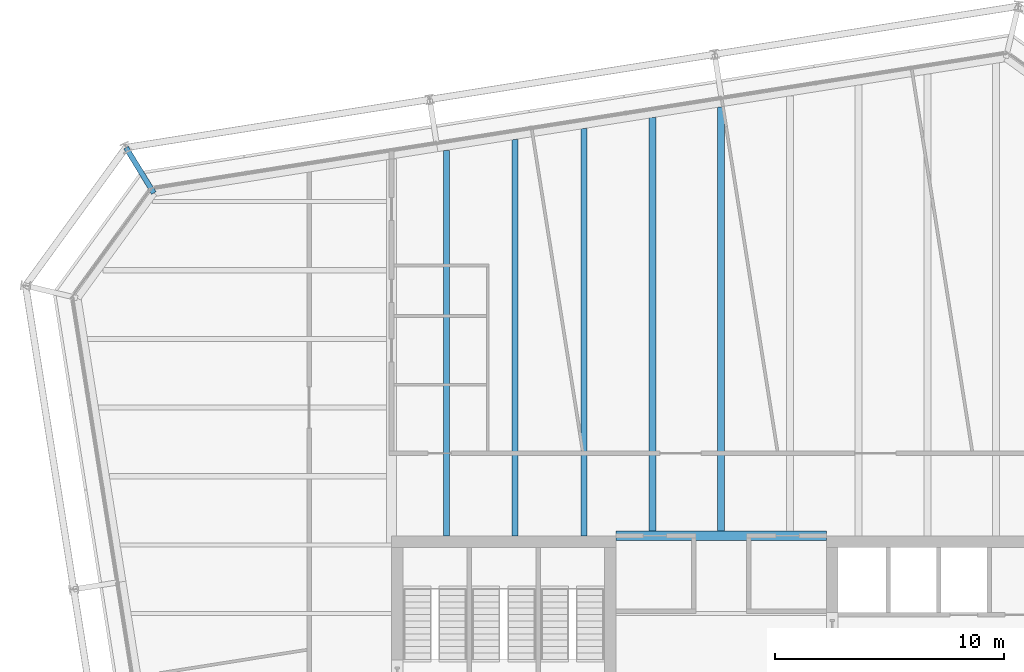
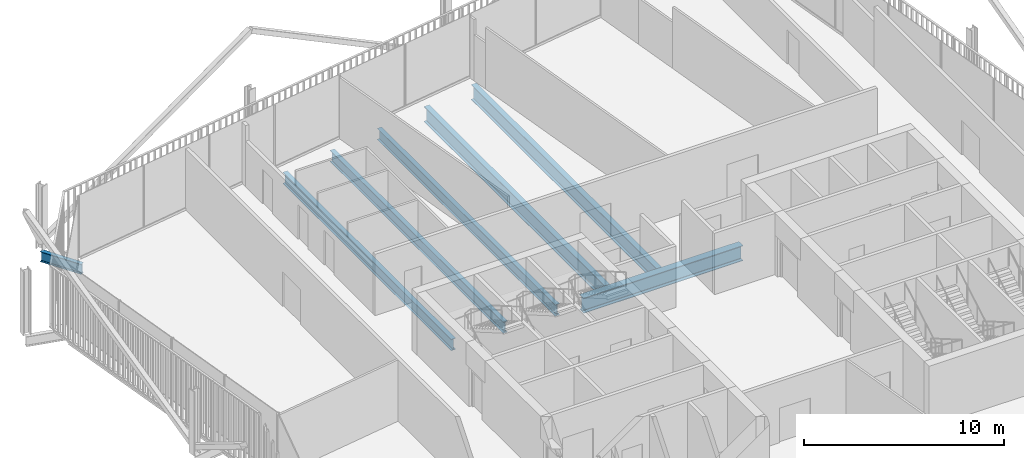
# One storey, part 12 of 21: 7 beams.
"""IFC4 building model written with IfcOpenShell, lengths in metres."""

from ifc_helpers import new_model, si_unit, direction, frame, origin, origin_2d, place, context, subcontext, project, spatial, i_section, extrude, material, material_profile, profile_set, type_object, element, save


model = new_model("IFC4")

# Units and contexts
model_context = context("Model", 3, precision=1e-05, world=origin(), true_north=direction((0.0, 1.0)))
body_context = subcontext(model_context, "Body", "Model", "MODEL_VIEW")
ifc_project = project(units=[si_unit("LENGTHUNIT", "METRE"), si_unit("AREAUNIT", "SQUARE_METRE"), si_unit("VOLUMEUNIT", "CUBIC_METRE"), si_unit("PLANEANGLEUNIT", "RADIAN"), si_unit("MASSUNIT", "GRAM", prefix="KILO")], contexts=[model_context])

# Site, building, storey
site_placement = place(None, origin())
site = spatial("IfcSite", under=ifc_project, at=site_placement, CompositionType="ELEMENT")
building_placement = place(site_placement, origin())
building = spatial("IfcBuilding", under=site, at=building_placement, Name="Millrace Tower", CompositionType="ELEMENT")
storey_placement = place(building_placement, frame((0.0, 0.0, 220.300048828125)))
storey = spatial("IfcBuildingStorey", under=building, at=storey_placement, Name="L50", CompositionType="ELEMENT", Elevation=220.300048828125)

# Beams
ifc_material_1 = material(Name="Steel ASTM A992 Grade 50", Category="steel")
ifc_material_profile_1 = material_profile(ifc_material_1, i_section(OverallWidth=0.256591796875, OverallDepth=0.693359375, WebThickness=0.014404296875, FlangeThickness=0.023681640625, FilletRadius=0.01513671875, at=origin_2d()))
ifc_profile_set_1 = profile_set([ifc_material_profile_1], Name="Steel ASTM A992 Grade 50")
beam_type_1 = type_object("IfcBeamType", Name="Floor beam W27x114", PredefinedType="JOIST", material=ifc_profile_set_1)
beam_1_placement = place(storey_placement, frame((-12.0, 9.39990234375, -0.5068359375), z_axis=(0.0, 1.0, 0.0), x_axis=(-1.0, 0.0, 0.0)))
element("IfcBeam", 1, at=beam_1_placement, inside=storey, type_object=beam_type_1, Name="BM-D-L50-S1-S036", PredefinedType="JOIST", context=body_context, shape_type="SweptSolid", body=[
    extrude(i_section(OverallWidth=0.256591796875, OverallDepth=0.693359375, WebThickness=0.014404296875, FlangeThickness=0.023681640625, FilletRadius=0.01513671875, at=origin_2d()), origin(), (0.0, 0.0, 1.0), 16.8369140625),
])
beam_2_placement = place(storey_placement, frame((-9.0, 9.39990234375, -0.5068359375), z_axis=(0.0, 1.0, 0.0), x_axis=(-1.0, 0.0, 0.0)))
element("IfcBeam", 2, at=beam_2_placement, inside=storey, type_object=beam_type_1, Name="BM-D-L50-S1-S038", PredefinedType="JOIST", context=body_context, shape_type="SweptSolid", body=[
    extrude(i_section(OverallWidth=0.256591796875, OverallDepth=0.693359375, WebThickness=0.014404296875, FlangeThickness=0.023681640625, FilletRadius=0.01513671875, at=origin_2d()), origin(), (0.0, 0.0, 1.0), 17.31201171875),
])
beam_3_placement = place(storey_placement, frame((-6.0, 9.39990234375, -0.5068359375), z_axis=(0.0, 1.0, 0.0), x_axis=(-1.0, 0.0, 0.0)))
element("IfcBeam", 3, at=beam_3_placement, inside=storey, type_object=beam_type_1, Name="BM-D-L50-S1-S040", PredefinedType="JOIST", context=body_context, shape_type="SweptSolid", body=[
    extrude(i_section(OverallWidth=0.256591796875, OverallDepth=0.693359375, WebThickness=0.014404296875, FlangeThickness=0.023681640625, FilletRadius=0.01513671875, at=origin_2d()), origin(), (0.0, 0.0, 1.0), 17.787109375),
])
ifc_material_2 = material(Name="Steel ASTM A992 Grade 50", Category="steel")
ifc_material_profile_2 = material_profile(ifc_material_2, i_section(OverallWidth=0.307373046875, OverallDepth=0.927001953125, WebThickness=0.01953125, FlangeThickness=0.031982421875, FilletRadius=0.01904296875, at=origin_2d()))
ifc_profile_set_2 = profile_set([ifc_material_profile_2], Name="Steel ASTM A992 Grade 50")
beam_type_2 = type_object("IfcBeamType", Name="Floor beam W36x194", PredefinedType="JOIST", material=ifc_profile_set_2)
beam_4_placement = place(storey_placement, frame((-3.0, 9.609619140625, -0.62353515625), z_axis=(0.0, 1.0, 0.0), x_axis=(-1.0, 0.0, 0.0)))
element("IfcBeam", 4, at=beam_4_placement, inside=storey, type_object=beam_type_2, Name="BM-D-L50-S1-S042", PredefinedType="JOIST", context=body_context, shape_type="SweptSolid", body=[
    extrude(i_section(OverallWidth=0.307373046875, OverallDepth=0.927001953125, WebThickness=0.01953125, FlangeThickness=0.031982421875, FilletRadius=0.01904296875, at=origin_2d()), origin(), (0.0, 0.0, 1.0), 18.052490234375),
])
beam_5_placement = place(storey_placement, frame((0.0, 9.609619140625, -0.62353515625), z_axis=(0.0, 1.0, 0.0), x_axis=(-1.0, 0.0, 0.0)))
element("IfcBeam", 5, at=beam_5_placement, inside=storey, type_object=beam_type_2, Name="BM-D-L50-S1-S044", PredefinedType="JOIST", context=body_context, shape_type="SweptSolid", body=[
    extrude(i_section(OverallWidth=0.307373046875, OverallDepth=0.927001953125, WebThickness=0.01953125, FlangeThickness=0.031982421875, FilletRadius=0.01904296875, at=origin_2d()), origin(), (0.0, 0.0, 1.0), 18.527587890625),
])
ifc_material_3 = material(Name="Steel ASTM A992 Grade 50", Category="steel")
ifc_material_profile_3 = material_profile(ifc_material_3, i_section(OverallWidth=0.419189453125, OverallDepth=0.927001953125, WebThickness=0.019287109375, FlangeThickness=0.031982421875, FilletRadius=0.024169921875, at=origin_2d()))
ifc_profile_set_3 = profile_set([ifc_material_profile_3], Name="Steel ASTM A992 Grade 50")
beam_type_3 = type_object("IfcBeamType", Name="Girder short span W36x231", PredefinedType="BEAM", material=ifc_profile_set_3)
beam_6_placement = place(storey_placement, frame((-4.60009765625, 9.39990234375, -0.62353515625), z_axis=(1.0, 0.0, 0.0), x_axis=(0.0, 1.0, 0.0)))
element("IfcBeam", 6, at=beam_6_placement, inside=storey, type_object=beam_type_3, Name="BM-D-L50-S1-G058", PredefinedType="BEAM", context=body_context, shape_type="SweptSolid", body=[
    extrude(i_section(OverallWidth=0.419189453125, OverallDepth=0.927001953125, WebThickness=0.019287109375, FlangeThickness=0.031982421875, FilletRadius=0.024169921875, at=origin_2d()), origin(), (0.0, 0.0, 1.0), 9.2001953125),
])
ifc_material_4 = material(Name="Steel ASTM A992 Grade 50", Category="steel")
ifc_material_profile_4 = material_profile(ifc_material_4, i_section(OverallWidth=0.23046875, OverallDepth=0.6171875, WebThickness=0.01318359375, FlangeThickness=0.022216796875, FilletRadius=0.012939453125, at=origin_2d()))
ifc_profile_set_4 = profile_set([ifc_material_profile_4], Name="Steel ASTM A992 Grade 50")
beam_type_4 = type_object("IfcBeamType", Name="Link beam W24x94", PredefinedType="BEAM", material=ifc_profile_set_4)
beam_7_placement = place(storey_placement, frame((-24.7783203125, 24.368408203125, -0.46875), z_axis=(-0.522512938711, 0.852631355792, 0.0), x_axis=(-0.852631355792, -0.522512938711, 0.0)))
element("IfcBeam", 7, at=beam_7_placement, inside=storey, type_object=beam_type_4, Name="LNK-D-L50-S1-05", PredefinedType="BEAM", context=body_context, shape_type="SweptSolid", body=[
    extrude(i_section(OverallWidth=0.23046875, OverallDepth=0.6171875, WebThickness=0.01318359375, FlangeThickness=0.022216796875, FilletRadius=0.012939453125, at=origin_2d()), origin(), (0.0, 0.0, 1.0), 2.3310546875),
])

save(model, "model.ifc")
